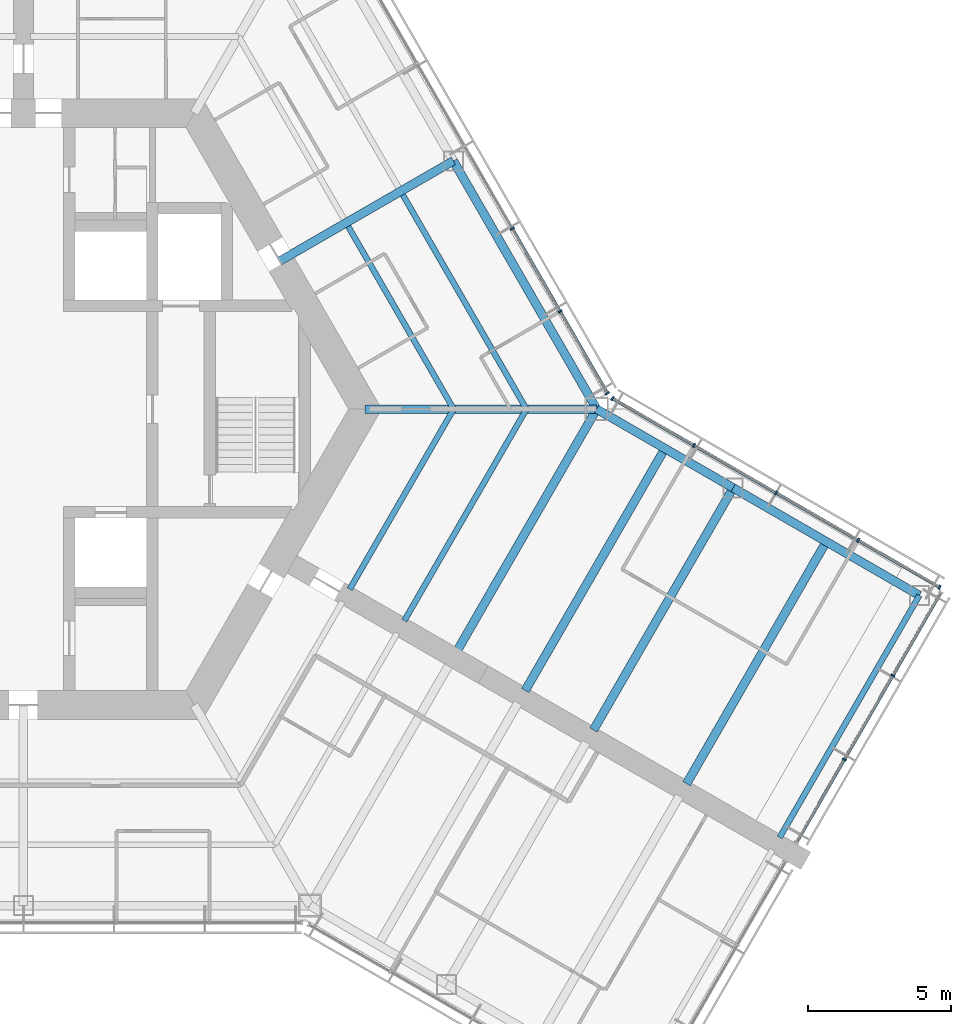
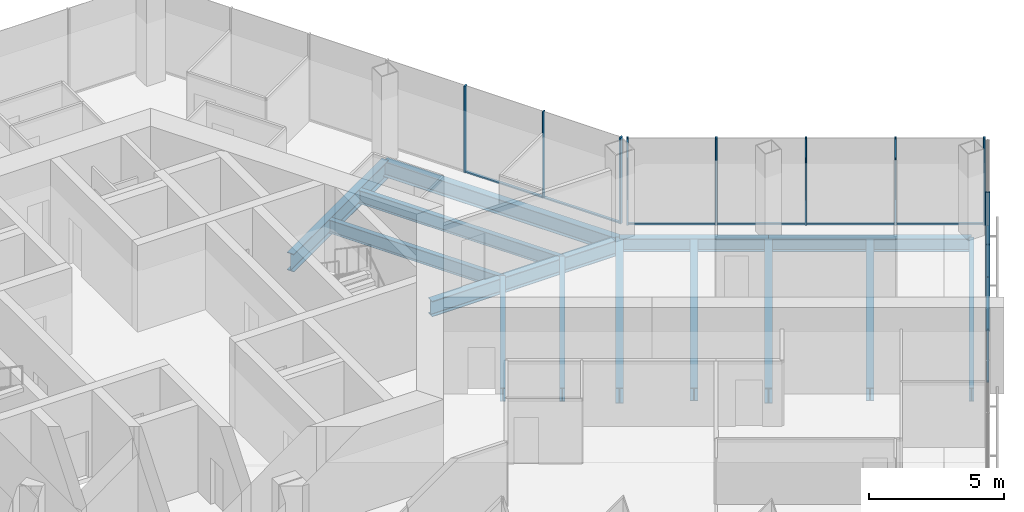
# One storey, part 6 of 19: 19 members, 14 beams, 3 elements without a shape of their own.
"""IFC4 building model written with IfcOpenShell, lengths in metres."""

from ifc_helpers import new_model, si_unit, direction, frame, origin, origin_2d, place, context, subcontext, project, spatial, rectangle, i_section, extrude, material, material_profile, profile_set, type_object, element, aggregate, save


model = new_model("IFC4")

# Units and contexts
model_context = context("Model", 3, precision=1e-05, world=origin(), true_north=direction((0.0, 1.0)))
body_context = subcontext(model_context, "Body", "Model", "MODEL_VIEW")
ifc_project = project(units=[si_unit("LENGTHUNIT", "METRE"), si_unit("AREAUNIT", "SQUARE_METRE"), si_unit("VOLUMEUNIT", "CUBIC_METRE"), si_unit("PLANEANGLEUNIT", "RADIAN"), si_unit("MASSUNIT", "GRAM", prefix="KILO")], contexts=[model_context])

# Site, building, storey
site_placement = place(None, origin())
site = spatial("IfcSite", under=ifc_project, at=site_placement, CompositionType="ELEMENT")
building_placement = place(site_placement, origin())
building = spatial("IfcBuilding", under=site, at=building_placement, Name="Kasaneha Research Tower", CompositionType="ELEMENT")
storey_placement = place(building_placement, frame((0.0, 0.0, 160.39990234375)))
storey = spatial("IfcBuildingStorey", under=building, at=storey_placement, Name="L40", CompositionType="ELEMENT", Elevation=160.39990234375)

# Beams
ifc_material_1 = material(Name="Steel SN490B", Category="steel")
ifc_material_profile_1 = material_profile(ifc_material_1, i_section(OverallWidth=0.199951171875, OverallDepth=0.60009765625, WebThickness=0.010986328125, FlangeThickness=0.01708984375, FilletRadius=0.012939453125, at=origin_2d()), Name="H-600x200x11x17")
ifc_profile_set_1 = profile_set([ifc_material_profile_1], Name="Steel SN490B")
beam_type_1 = type_object("IfcBeamType", Name="B1-3 secondary beam H-600x200x11x17", PredefinedType="JOIST", material=ifc_profile_set_1)
beam_1_placement = place(storey_placement, frame((15.010986328125, 0.0, -0.449951171875), z_axis=(-0.499994443168, 0.866028611999, 0.0), x_axis=(-0.866028611999, -0.499994443168, 0.0)))
element("IfcBeam", 1, at=beam_1_placement, inside=storey, type_object=beam_type_1, Name="Secondary beam RS030L1 L40", PredefinedType="JOIST", context=body_context, shape_type="SweptSolid", body=[
    extrude(i_section(OverallWidth=0.199951171875, OverallDepth=0.60009765625, WebThickness=0.010986328125, FlangeThickness=0.01708984375, FilletRadius=0.012939453125, at=origin_2d()), origin(), (0.0, 0.0, 1.0), 7.35546875),
])
beam_2_placement = place(storey_placement, frame((17.551513671875, 0.0, -0.449951171875), z_axis=(-0.5000050195, 0.866022505755, 0.0), x_axis=(-0.866022505755, -0.5000050195, 0.0)))
element("IfcBeam", 2, at=beam_2_placement, inside=storey, type_object=beam_type_1, Name="Secondary beam RS030L2 L40", PredefinedType="JOIST", context=body_context, shape_type="SweptSolid", body=[
    extrude(i_section(OverallWidth=0.199951171875, OverallDepth=0.60009765625, WebThickness=0.010986328125, FlangeThickness=0.01708984375, FilletRadius=0.012939453125, at=origin_2d()), origin(), (0.0, 0.0, 1.0), 8.6259765625),
])
beam_3_placement = place(storey_placement, frame((15.010986328125, 0.0, -0.449951171875), z_axis=(-0.499993340521, -0.866029248602, 0.0), x_axis=(0.866029248602, -0.499993340521, 0.0)))
element("IfcBeam", 3, at=beam_3_placement, inside=storey, type_object=beam_type_1, Name="Secondary beam RS330R1 L40", PredefinedType="JOIST", context=body_context, shape_type="SweptSolid", body=[
    extrude(i_section(OverallWidth=0.199951171875, OverallDepth=0.60009765625, WebThickness=0.010986328125, FlangeThickness=0.01708984375, FilletRadius=0.012939453125, at=origin_2d()), origin(), (0.0, 0.0, 1.0), 7.25537109375),
])
beam_4_placement = place(storey_placement, frame((17.551513671875, 0.0, -0.449951171875), z_axis=(-0.500004205306, -0.866022975836, 0.0), x_axis=(0.866022975836, -0.500004205306, 0.0)))
element("IfcBeam", 4, at=beam_4_placement, inside=storey, type_object=beam_type_1, Name="Secondary beam RS330R2 L40", PredefinedType="JOIST", context=body_context, shape_type="SweptSolid", body=[
    extrude(i_section(OverallWidth=0.199951171875, OverallDepth=0.60009765625, WebThickness=0.010986328125, FlangeThickness=0.01708984375, FilletRadius=0.012939453125, at=origin_2d()), origin(), (0.0, 0.0, 1.0), 8.52587890625),
])
ifc_material_2 = material(Name="Steel SN490B", Category="steel")
ifc_material_profile_2 = material_profile(ifc_material_2, i_section(OverallWidth=0.300048828125, OverallDepth=0.58203125, WebThickness=0.011962890625, FlangeThickness=0.01708984375, FilletRadius=0.012939453125, at=origin_2d()), Name="H-582x300x12x17")
ifc_profile_set_2 = profile_set([ifc_material_profile_2], Name="Steel SN490B")
beam_type_2 = type_object("IfcBeamType", Name="B2-3 secondary beam H-582x300x12x17", PredefinedType="JOIST", material=ifc_profile_set_2)
for number, where, z_axis, x_axis, name in (
    (5, (22.381591796875, -1.375, -0.44091796875), (-0.499995560238, -0.866027967067, 0.0), (0.866027967067, -0.499995560238, 0.0), "Secondary beam WBCN1 L40"),
    (6, (28.0107421875, -4.625, -0.44091796875), (-0.499995560238, -0.866027967067, 0.0), (0.866027967067, -0.499995560238, 0.0), "Secondary beam WBCN2 L40"),
):
    element("IfcBeam", number, at=place(storey_placement, frame(where, z_axis=z_axis, x_axis=x_axis)), inside=storey, type_object=beam_type_2, Name=name, PredefinedType="JOIST", context=body_context, shape_type="SweptSolid", body=[
        extrude(i_section(OverallWidth=0.300048828125, OverallDepth=0.58203125, WebThickness=0.011962890625, FlangeThickness=0.01708984375, FilletRadius=0.012939453125, at=origin_2d()), origin(), (0.0, 0.0, 1.0), 9.75),
    ])

# Curtain wall, members
ifc_material_3 = material(Name="Glass and aluminium", Category="aluminium")
curtain_wall_type = type_object("IfcCurtainWallType", Name="Mid-rise office curtain wall", PredefinedType="USERDEFINED", material=ifc_material_3)
curtain_wall_1_placement = place(storey_placement, origin())
curtain_wall_1 = element("IfcCurtainWall", 7, at=curtain_wall_1_placement, inside=storey, type_object=curtain_wall_type, Name="CW-O2 L40 run 04a", ObjectType="UNITISED CURTAIN WALL", PredefinedType="USERDEFINED")
ifc_material_4 = material(Name="Aluminium 6063-T6", Category="aluminium")
ifc_material_profile_3 = material_profile(ifc_material_4, rectangle(XDim=0.06005859375, YDim=0.14990234375, at=origin_2d()), Name="CW-O2 mullion 60x150")
ifc_profile_set_3 = profile_set([ifc_material_profile_3], Name="Aluminium 6063-T6")
member_type_1 = type_object("IfcMemberType", Name="CW-O2 mullion", PredefinedType="MULLION", material=ifc_profile_set_3)
member_1_placement = place(storey_placement, frame((28.64453125, -12.22705078125, 0.0), z_axis=(0.0, 0.0, 1.0), x_axis=(0.500000011442, 0.866025397178, 0.0)))
member_1 = element("IfcMember", 8, at=member_1_placement, type_object=member_type_1, Name="CW-O2 mullion 2", PredefinedType="MULLION", context=body_context, shape_type="SweptSolid", body=[
    extrude(rectangle(XDim=0.06005859375, YDim=0.14990234375, at=origin_2d()), origin(), (0.0, 0.0, 1.0), 3.900146484375),
])
member_2_placement = place(storey_placement, frame((30.336181640625, -9.297119140625, 0.0), z_axis=(0.0, 0.0, 1.0), x_axis=(0.500000011442, 0.866025397178, 0.0)))
member_2 = element("IfcMember", 9, at=member_2_placement, type_object=member_type_1, Name="CW-O2 mullion 3", PredefinedType="MULLION", context=body_context, shape_type="SweptSolid", body=[
    extrude(rectangle(XDim=0.06005859375, YDim=0.14990234375, at=origin_2d()), origin(), (0.0, 0.0, 1.0), 3.900146484375),
])

curtain_wall_2_placement = place(storey_placement, origin())
curtain_wall_2 = element("IfcCurtainWall", 10, at=curtain_wall_2_placement, inside=storey, type_object=curtain_wall_type, Name="CW-O2 L40 run 05a", ObjectType="UNITISED CURTAIN WALL", PredefinedType="USERDEFINED")
member_3_placement = place(storey_placement, frame((31.96533203125, -6.21533203125, 0.0), z_axis=(0.0, 0.0, 1.0), x_axis=(-0.866025411464, 0.499999986699, 0.0)))
member_3 = element("IfcMember", 11, at=member_3_placement, type_object=member_type_1, Name="CW-O2 mullion 1", PredefinedType="MULLION", context=body_context, shape_type="SweptSolid", body=[
    extrude(rectangle(XDim=0.06005859375, YDim=0.14990234375, at=origin_2d()), origin(), (0.0, 0.0, 1.0), 3.900146484375),
])
member_4_placement = place(storey_placement, frame((29.125, -4.575439453125, 0.0), z_axis=(0.0, 0.0, 1.0), x_axis=(-0.866025411464, 0.499999986699, 0.0)))
member_4 = element("IfcMember", 12, at=member_4_placement, type_object=member_type_1, Name="CW-O2 mullion 2", PredefinedType="MULLION", context=body_context, shape_type="SweptSolid", body=[
    extrude(rectangle(XDim=0.06005859375, YDim=0.14990234375, at=origin_2d()), origin(), (0.0, 0.0, 1.0), 3.900146484375),
])
member_5_placement = place(storey_placement, frame((26.258544921875, -2.920654296875, 0.0), z_axis=(0.0, 0.0, 1.0), x_axis=(-0.866025411464, 0.499999986699, 0.0)))
member_5 = element("IfcMember", 13, at=member_5_placement, type_object=member_type_1, Name="CW-O2 mullion 3", PredefinedType="MULLION", context=body_context, shape_type="SweptSolid", body=[
    extrude(rectangle(XDim=0.06005859375, YDim=0.14990234375, at=origin_2d()), origin(), (0.0, 0.0, 1.0), 3.900146484375),
])
member_6_placement = place(storey_placement, frame((23.39208984375, -1.265625, 0.0), z_axis=(0.0, 0.0, 1.0), x_axis=(-0.866025411464, 0.499999986699, 0.0)))
member_6 = element("IfcMember", 14, at=member_6_placement, type_object=member_type_1, Name="CW-O2 mullion 4", PredefinedType="MULLION", context=body_context, shape_type="SweptSolid", body=[
    extrude(rectangle(XDim=0.06005859375, YDim=0.14990234375, at=origin_2d()), origin(), (0.0, 0.0, 1.0), 3.900146484375),
])
member_7_placement = place(storey_placement, frame((20.5517578125, 0.374267578125, 0.0), z_axis=(0.0, 0.0, 1.0), x_axis=(-0.866025411464, 0.499999986699, 0.0)))
member_7 = element("IfcMember", 15, at=member_7_placement, type_object=member_type_1, Name="CW-O2 mullion 5", PredefinedType="MULLION", context=body_context, shape_type="SweptSolid", body=[
    extrude(rectangle(XDim=0.06005859375, YDim=0.14990234375, at=origin_2d()), origin(), (0.0, 0.0, 1.0), 3.900146484375),
])

curtain_wall_3_placement = place(storey_placement, origin())
curtain_wall_3 = element("IfcCurtainWall", 16, at=curtain_wall_3_placement, inside=storey, type_object=curtain_wall_type, Name="CW-O2 L40 run 06a", ObjectType="UNITISED CURTAIN WALL", PredefinedType="USERDEFINED")
member_8_placement = place(storey_placement, frame((20.374267578125, 0.5517578125, 0.0), z_axis=(0.0, 0.0, 1.0), x_axis=(-0.499999979232, 0.866025415775, 0.0)))
member_8 = element("IfcMember", 17, at=member_8_placement, type_object=member_type_1, Name="CW-O2 mullion 1", PredefinedType="MULLION", context=body_context, shape_type="SweptSolid", body=[
    extrude(rectangle(XDim=0.06005859375, YDim=0.14990234375, at=origin_2d()), origin(), (0.0, 0.0, 1.0), 3.900146484375),
])
member_9_placement = place(storey_placement, frame((18.723876953125, 3.410400390625, 0.0), z_axis=(0.0, 0.0, 1.0), x_axis=(-0.499999979232, 0.866025415775, 0.0)))
member_9 = element("IfcMember", 18, at=member_9_placement, type_object=member_type_1, Name="CW-O2 mullion 2", PredefinedType="MULLION", context=body_context, shape_type="SweptSolid", body=[
    extrude(rectangle(XDim=0.06005859375, YDim=0.14990234375, at=origin_2d()), origin(), (0.0, 0.0, 1.0), 3.900146484375),
])
member_10_placement = place(storey_placement, frame((17.058349609375, 6.295166015625, 0.0), z_axis=(0.0, 0.0, 1.0), x_axis=(-0.499999979232, 0.866025415775, 0.0)))
member_10 = element("IfcMember", 19, at=member_10_placement, type_object=member_type_1, Name="CW-O2 mullion 3", PredefinedType="MULLION", context=body_context, shape_type="SweptSolid", body=[
    extrude(rectangle(XDim=0.06005859375, YDim=0.14990234375, at=origin_2d()), origin(), (0.0, 0.0, 1.0), 3.900146484375),
])

# Member
ifc_material_5 = material(Name="Aluminium 6063-T6", Category="aluminium")
ifc_material_profile_4 = material_profile(ifc_material_5, rectangle(XDim=0.110107421875, YDim=0.06005859375, at=origin_2d()), Name="CW-O2 transom 110x60")
ifc_profile_set_4 = profile_set([ifc_material_profile_4], Name="Aluminium 6063-T6")
member_type_2 = type_object("IfcMemberType", Name="CW-O2 transom", PredefinedType="USERDEFINED", material=ifc_profile_set_4)
member_11_placement = place(storey_placement, frame((26.98291015625, -15.105224609375, 0.030029296875), z_axis=(0.500021914551, 0.866012751043, 0.0), x_axis=(-0.866012751043, 0.500021914551, 0.0)))
member_11 = element("IfcMember", 20, at=member_11_placement, type_object=member_type_2, Name="CW-O2 transom 1", ObjectType="TRANSOM", PredefinedType="USERDEFINED", context=body_context, shape_type="SweptSolid", body=[
    extrude(rectangle(XDim=0.110107421875, YDim=0.06005859375, at=origin_2d()), origin(), (0.0, 0.0, 1.0), 3.293212890625),
])

member_12_placement = place(storey_placement, frame((28.65966796875, -12.201171875, 0.030029296875), z_axis=(0.499978935311, 0.866037565146, 0.0), x_axis=(-0.866037565146, 0.499978935311, 0.0)))
member_12 = element("IfcMember", 21, at=member_12_placement, type_object=member_type_2, Name="CW-O2 transom 2", ObjectType="TRANSOM", PredefinedType="USERDEFINED", context=body_context, shape_type="SweptSolid", body=[
    extrude(rectangle(XDim=0.110107421875, YDim=0.06005859375, at=origin_2d()), origin(), (0.0, 0.0, 1.0), 3.323486328125),
])

member_13_placement = place(storey_placement, frame((30.351318359375, -9.27099609375, 0.030029296875), z_axis=(0.500021914551, 0.866012751043, 0.0), x_axis=(-0.866012751043, 0.500021914551, 0.0)))
member_13 = element("IfcMember", 22, at=member_13_placement, type_object=member_type_2, Name="CW-O2 transom 3", ObjectType="TRANSOM", PredefinedType="USERDEFINED", context=body_context, shape_type="SweptSolid", body=[
    extrude(rectangle(XDim=0.110107421875, YDim=0.06005859375, at=origin_2d()), origin(), (0.0, 0.0, 1.0), 3.293212890625),
])

aggregate(curtain_wall_1, [member_1, member_2, member_11, member_12, member_13])

member_14_placement = place(storey_placement, frame((31.939453125, -6.200439453125, 0.030029296875), z_axis=(-0.866041647767, 0.499971863542, 0.0), x_axis=(-0.499971863542, -0.866041647767, 0.0)))
member_14 = element("IfcMember", 23, at=member_14_placement, type_object=member_type_2, Name="CW-O2 transom 1", ObjectType="TRANSOM", PredefinedType="USERDEFINED", context=body_context, shape_type="SweptSolid", body=[
    extrude(rectangle(XDim=0.110107421875, YDim=0.06005859375, at=origin_2d()), origin(), (0.0, 0.0, 1.0), 3.219970703125),
])

member_15_placement = place(storey_placement, frame((29.098876953125, -4.560546875, 0.030029296875), z_axis=(-0.86599666273, 0.500049777664, 0.0), x_axis=(-0.500049777664, -0.86599666273, 0.0)))
member_15 = element("IfcMember", 24, at=member_15_placement, type_object=member_type_2, Name="CW-O2 transom 2", ObjectType="TRANSOM", PredefinedType="USERDEFINED", context=body_context, shape_type="SweptSolid", body=[
    extrude(rectangle(XDim=0.110107421875, YDim=0.06005859375, at=origin_2d()), origin(), (0.0, 0.0, 1.0), 3.249755859375),
])

member_16_placement = place(storey_placement, frame((26.232666015625, -2.905517578125, 0.030029296875), z_axis=(-0.86604797581, 0.499960902066, 0.0), x_axis=(-0.499960902066, -0.86604797581, 0.0)))
member_16 = element("IfcMember", 25, at=member_16_placement, type_object=member_type_2, Name="CW-O2 transom 3", ObjectType="TRANSOM", PredefinedType="USERDEFINED", context=body_context, shape_type="SweptSolid", body=[
    extrude(rectangle(XDim=0.110107421875, YDim=0.06005859375, at=origin_2d()), origin(), (0.0, 0.0, 1.0), 3.249755859375),
])

member_17_placement = place(storey_placement, frame((23.3662109375, -1.250732421875, 0.030029296875), z_axis=(-0.866022692473, 0.500004696101, 0.0), x_axis=(-0.500004696101, -0.866022692473, 0.0)))
member_17 = element("IfcMember", 26, at=member_17_placement, type_object=member_type_2, Name="CW-O2 transom 4", ObjectType="TRANSOM", PredefinedType="USERDEFINED", context=body_context, shape_type="SweptSolid", body=[
    extrude(rectangle(XDim=0.110107421875, YDim=0.06005859375, at=origin_2d()), origin(), (0.0, 0.0, 1.0), 3.2197265625),
])

aggregate(curtain_wall_2, [member_3, member_4, member_5, member_6, member_7, member_14, member_15, member_16, member_17])

member_18_placement = place(storey_placement, frame((20.359130859375, 0.577880859375, 0.030029296875), z_axis=(-0.499987643696, 0.866032537582, 0.0), x_axis=(-0.866032537582, -0.499987643696, 0.0)))
member_18 = element("IfcMember", 27, at=member_18_placement, type_object=member_type_2, Name="CW-O2 transom 1", ObjectType="TRANSOM", PredefinedType="USERDEFINED", context=body_context, shape_type="SweptSolid", body=[
    extrude(rectangle(XDim=0.110107421875, YDim=0.06005859375, at=origin_2d()), origin(), (0.0, 0.0, 1.0), 3.24072265625),
])

member_19_placement = place(storey_placement, frame((18.708740234375, 3.4365234375, 0.030029296875), z_axis=(-0.500000270186, 0.866025247793, 0.0), x_axis=(-0.866025247793, -0.500000270186, 0.0)))
member_19 = element("IfcMember", 28, at=member_19_placement, type_object=member_type_2, Name="CW-O2 transom 2", ObjectType="TRANSOM", PredefinedType="USERDEFINED", context=body_context, shape_type="SweptSolid", body=[
    extrude(rectangle(XDim=0.110107421875, YDim=0.06005859375, at=origin_2d()), origin(), (0.0, 0.0, 1.0), 3.27099609375),
])

aggregate(curtain_wall_3, [member_8, member_9, member_10, member_18, member_19])

# Beams
ifc_material_6 = material(Name="Steel SN490B", Category="steel")
ifc_material_profile_5 = material_profile(ifc_material_6, i_section(OverallWidth=0.300048828125, OverallDepth=0.699951171875, WebThickness=0.012939453125, FlangeThickness=0.02392578125, FilletRadius=0.01806640625, at=origin_2d()), Name="H-700x300x13x24")
ifc_profile_set_5 = profile_set([ifc_material_profile_5], Name="Steel SN490B")
beam_type_3 = type_object("IfcBeamType", Name="G1-3 radial girder H-700x300x13x24", PredefinedType="BEAM", material=ifc_profile_set_5)
beam_5_placement = place(storey_placement, frame((11.92236328125, 0.0, -0.5), z_axis=(1.0, 0.0, 0.0), x_axis=(0.0, 1.0, 0.0)))
element("IfcBeam", 29, at=beam_5_placement, inside=storey, type_object=beam_type_3, Name="Radial girder RV000 L40", PredefinedType="BEAM", context=body_context, shape_type="SweptSolid", body=[
    extrude(i_section(OverallWidth=0.300048828125, OverallDepth=0.699951171875, WebThickness=0.012939453125, FlangeThickness=0.02392578125, FilletRadius=0.01806640625, at=origin_2d()), origin(), (0.0, 0.0, 1.0), 8.07763671875),
])
ifc_material_7 = material(Name="Steel SN490B", Category="steel")
ifc_material_profile_6 = material_profile(ifc_material_7, i_section(OverallWidth=0.300048828125, OverallDepth=0.800048828125, WebThickness=0.013916015625, FlangeThickness=0.02587890625, FilletRadius=0.01806640625, at=origin_2d()), Name="H-800x300x14x26")
ifc_profile_set_6 = profile_set([ifc_material_profile_6], Name="Steel SN490B")
beam_type_4 = type_object("IfcBeamType", Name="G2-3 radial girder H-800x300x14x26", PredefinedType="BEAM", material=ifc_profile_set_6)
beam_6_placement = place(storey_placement, frame((8.941650390625, 5.16259765625, -0.5498046875), z_axis=(0.866039713508, 0.499975214012, 0.0), x_axis=(-0.499975214012, 0.866039713508, 0.0)))
element("IfcBeam", 30, at=beam_6_placement, inside=storey, type_object=beam_type_4, Name="Radial girder RM030 L40", PredefinedType="BEAM", context=body_context, shape_type="SweptSolid", body=[
    extrude(i_section(OverallWidth=0.300048828125, OverallDepth=0.800048828125, WebThickness=0.013916015625, FlangeThickness=0.02587890625, FilletRadius=0.01806640625, at=origin_2d()), origin(), (0.0, 0.0, 1.0), 6.995361328125),
])
ifc_material_8 = material(Name="Steel SN490B", Category="steel")
ifc_material_profile_7 = material_profile(ifc_material_8, i_section(OverallWidth=0.300048828125, OverallDepth=0.69189453125, WebThickness=0.012939453125, FlangeThickness=0.02001953125, FilletRadius=0.01806640625, at=origin_2d()), Name="H-692x300x13x20")
ifc_profile_set_7 = profile_set([ifc_material_profile_7], Name="Steel SN490B")
beam_type_5 = type_object("IfcBeamType", Name="G3-3 plate edge girder H-692x300x13x20", PredefinedType="BEAM", material=ifc_profile_set_7)
beam_7_placement = place(storey_placement, frame((20.0, 0.0, -0.495849609375), z_axis=(-0.499995560238, -0.866027967067, 0.0), x_axis=(0.866027967067, -0.499995560238, 0.0)))
element("IfcBeam", 31, at=beam_7_placement, inside=storey, type_object=beam_type_5, Name="Plate edge girder PECN L40", PredefinedType="BEAM", context=body_context, shape_type="SweptSolid", body=[
    extrude(i_section(OverallWidth=0.300048828125, OverallDepth=0.69189453125, WebThickness=0.012939453125, FlangeThickness=0.02001953125, FilletRadius=0.01806640625, at=origin_2d()), origin(), (0.0, 0.0, 1.0), 9.75),
])
ifc_material_9 = material(Name="Steel SN490B", Category="steel")
ifc_material_profile_8 = material_profile(ifc_material_9, i_section(OverallWidth=0.300048828125, OverallDepth=0.699951171875, WebThickness=0.012939453125, FlangeThickness=0.02392578125, FilletRadius=0.01806640625, at=origin_2d()), Name="H-700x300x13x24")
ifc_profile_set_8 = profile_set([ifc_material_profile_8], Name="Steel SN490B")
beam_type_6 = type_object("IfcBeamType", Name="G4-3 wing girder H-700x300x13x24", PredefinedType="BEAM", material=ifc_profile_set_8)
beam_8_placement = place(storey_placement, frame((24.76318359375, -2.75, -0.5), z_axis=(-0.499995560238, -0.866027967067, 0.0), x_axis=(0.866027967067, -0.499995560238, 0.0)))
element("IfcBeam", 32, at=beam_8_placement, inside=storey, type_object=beam_type_6, Name="Wing girder WGCN L40", PredefinedType="BEAM", context=body_context, shape_type="SweptSolid", body=[
    extrude(i_section(OverallWidth=0.300048828125, OverallDepth=0.699951171875, WebThickness=0.012939453125, FlangeThickness=0.02392578125, FilletRadius=0.01806640625, at=origin_2d()), origin(), (0.0, 0.0, 1.0), 9.75),
])
ifc_material_10 = material(Name="Steel SN490B", Category="steel")
ifc_material_profile_9 = material_profile(ifc_material_10, i_section(OverallWidth=0.300048828125, OverallDepth=0.69189453125, WebThickness=0.012939453125, FlangeThickness=0.02001953125, FilletRadius=0.01806640625, at=origin_2d()), Name="H-692x300x13x20")
ifc_profile_set_9 = profile_set([ifc_material_profile_9], Name="Steel SN490B")
beam_type_7 = type_object("IfcBeamType", Name="SB1-3 spandrel beam H-692x300x13x20", PredefinedType="SPANDREL", material=ifc_profile_set_9)
beam_9_placement = place(storey_placement, frame((20.0, 0.0, -0.495849609375), z_axis=(-0.500004234368, 0.866022959057, 0.0), x_axis=(-0.866022959057, -0.500004234368, 0.0)))
element("IfcBeam", 33, at=beam_9_placement, inside=storey, type_object=beam_type_7, Name="Spandrel beam SR030L L40", PredefinedType="SPANDREL", context=body_context, shape_type="SweptSolid", body=[
    extrude(i_section(OverallWidth=0.300048828125, OverallDepth=0.69189453125, WebThickness=0.012939453125, FlangeThickness=0.02001953125, FilletRadius=0.01806640625, at=origin_2d()), origin(), (0.0, 0.0, 1.0), 10.0),
])
ifc_material_11 = material(Name="Steel SN490B", Category="steel")
ifc_material_profile_10 = material_profile(ifc_material_11, i_section(OverallWidth=0.300048828125, OverallDepth=0.58203125, WebThickness=0.011962890625, FlangeThickness=0.01708984375, FilletRadius=0.012939453125, at=origin_2d()), Name="H-582x300x12x17")
ifc_profile_set_10 = profile_set([ifc_material_profile_10], Name="Steel SN490B")
beam_type_8 = type_object("IfcBeamType", Name="SB2-3 spandrel beam H-582x300x12x17", PredefinedType="SPANDREL", material=ifc_profile_set_10)
beam_10_placement = place(storey_placement, frame((20.0, 0.0, -0.44091796875), z_axis=(0.866027397988, -0.499996545922, 0.0), x_axis=(0.499996545922, 0.866027397988, 0.0)))
element("IfcBeam", 34, at=beam_10_placement, inside=storey, type_object=beam_type_8, Name="Spandrel beam WSCN1 L40", PredefinedType="SPANDREL", context=body_context, shape_type="SweptSolid", body=[
    extrude(i_section(OverallWidth=0.300048828125, OverallDepth=0.58203125, WebThickness=0.011962890625, FlangeThickness=0.01708984375, FilletRadius=0.012939453125, at=origin_2d()), origin(), (0.0, 0.0, 1.0), 5.5),
])
beam_11_placement = place(storey_placement, frame((24.76318359375, -2.75, -0.44091796875), z_axis=(0.866022959057, -0.500004234368, 0.0), x_axis=(0.500004234368, 0.866022959057, 0.0)))
element("IfcBeam", 35, at=beam_11_placement, inside=storey, type_object=beam_type_8, Name="Spandrel beam WSCN2 L40", PredefinedType="SPANDREL", context=body_context, shape_type="SweptSolid", body=[
    extrude(i_section(OverallWidth=0.300048828125, OverallDepth=0.58203125, WebThickness=0.011962890625, FlangeThickness=0.01708984375, FilletRadius=0.012939453125, at=origin_2d()), origin(), (0.0, 0.0, 1.0), 7.5),
])
ifc_material_12 = material(Name="Steel SN490B", Category="steel")
ifc_material_profile_11 = material_profile(ifc_material_12, i_section(OverallWidth=0.199951171875, OverallDepth=0.60009765625, WebThickness=0.010986328125, FlangeThickness=0.01708984375, FilletRadius=0.012939453125, at=origin_2d()), Name="H-600x200x11x17")
ifc_profile_set_11 = profile_set([ifc_material_profile_11], Name="Steel SN490B")
beam_type_9 = type_object("IfcBeamType", Name="SB3-3 spandrel beam H-600x200x11x17", PredefinedType="SPANDREL", material=ifc_profile_set_11)
beam_12_placement = place(storey_placement, frame((31.25830078125, -6.5, -0.449951171875), z_axis=(-0.499995560238, -0.866027967067, 0.0), x_axis=(0.866027967067, -0.499995560238, 0.0)))
element("IfcBeam", 36, at=beam_12_placement, inside=storey, type_object=beam_type_9, Name="Spandrel beam WTCN L40", PredefinedType="SPANDREL", context=body_context, shape_type="SweptSolid", body=[
    extrude(i_section(OverallWidth=0.199951171875, OverallDepth=0.60009765625, WebThickness=0.010986328125, FlangeThickness=0.01708984375, FilletRadius=0.012939453125, at=origin_2d()), origin(), (0.0, 0.0, 1.0), 9.75),
])

save(model, "model.ifc")
